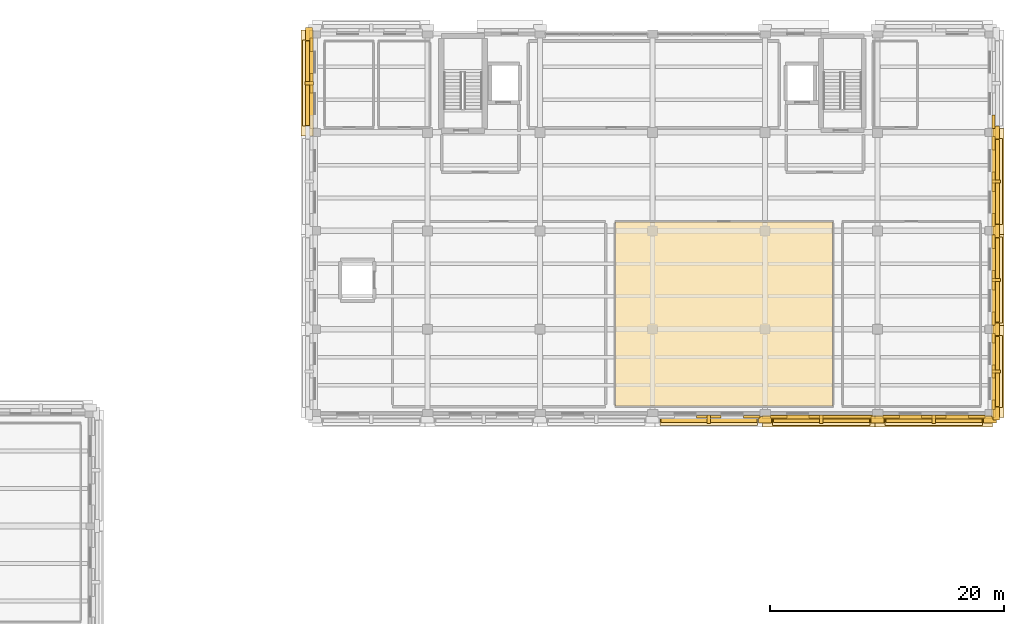
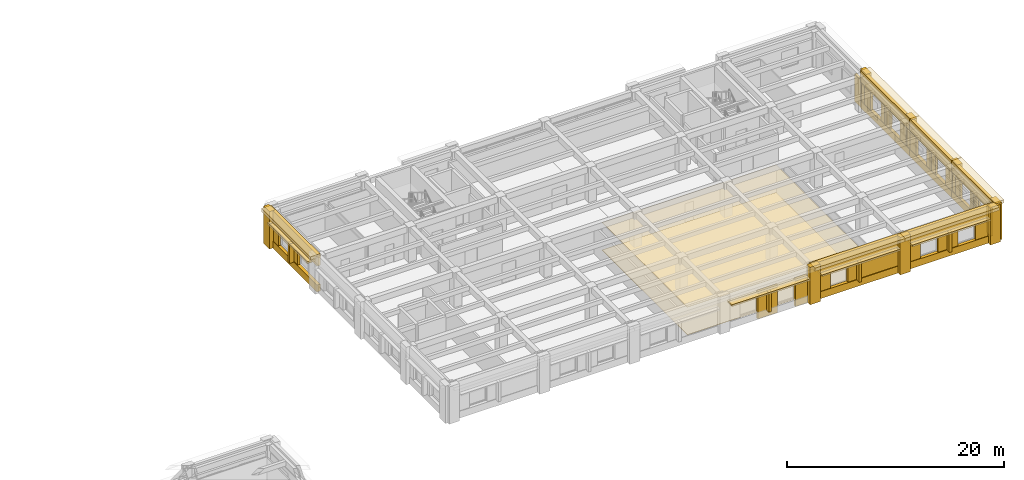
# One storey, part 15 of 17: 61 coverings, 7 shading devices.
"""IFC4 building model written with IfcOpenShell, lengths in metres."""

import ifcopenshell
import ifcopenshell.guid

model = None  # the IFC model being written
_history = None  # IfcOwnerHistory: only IFC2X3 demands one
_inside = {}  # id of a spatial element -> (the spatial element, [elements in it])
_under = {}  # id of a project, library or spatial element -> (it, [spatial elements below it])
_declared = {}  # id of a project -> (the project, [libraries it declares])
_typed = {}  # id of a type object -> (the type object, [elements of that type])
_made_of = {}  # id of a material, layer set ... -> (it, [elements and type objects made of it])


def new_model(schema):
    """Start an empty IFC model of exactly this schema.

    Asked for "IFC4X3", IfcOpenShell would pick the latest addendum, in which some entities
    have other attributes; the version numbers below select the first issue.
    IFC2X3 requires an IfcOwnerHistory on every rooted entity: one is made here for all.
    """
    global model, _history
    if schema == "IFC4X3":
        model = ifcopenshell.file(schema_version=(4, 3, 0, 0))
    else:
        model = ifcopenshell.file(schema=schema)
    _inside.clear()
    _under.clear()
    _declared.clear()
    _typed.clear()
    _made_of.clear()
    _history = None
    if model.schema == "IFC2X3":
        org = make("IfcOrganization", Name="unknown")
        user = make(
            "IfcPersonAndOrganization",
            ThePerson=make("IfcPerson", FamilyName="unknown"),
            TheOrganization=org,
        )
        app = make(
            "IfcApplication",
            ApplicationDeveloper=org,
            Version="unknown",
            ApplicationFullName="unknown",
            ApplicationIdentifier="unknown",
        )
        _history = make(
            "IfcOwnerHistory",
            OwningUser=user,
            OwningApplication=app,
            ChangeAction="ADDED",
            CreationDate=0,
        )
    return model


def make(cls, **values):
    """One entity of the class cls with the attributes given. An attribute that is None is left unset."""
    return model.create_entity(
        cls, **{name: value for name, value in values.items() if value is not None}
    )


def rooted(cls, **values):
    """An entity with a GlobalId (a new one), such as an element, a storey or a relation."""
    return make(cls, GlobalId=ifcopenshell.guid.new(), OwnerHistory=_history, **values)


def si_unit(unit_type, name, prefix=None):
    """IfcSIUnit, for example si_unit("LENGTHUNIT", "METRE", prefix="MILLI")."""
    return make("IfcSIUnit", UnitType=unit_type, Prefix=prefix, Name=name)


def assignment(units):
    """IfcUnitAssignment: the units of a project."""
    return None if units is None else make("IfcUnitAssignment", Units=units)


def point(xyz):
    """IfcCartesianPoint."""
    return None if xyz is None else make("IfcCartesianPoint", Coordinates=xyz)


def direction(xyz):
    """IfcDirection."""
    return None if xyz is None else make("IfcDirection", DirectionRatios=xyz)


def frame(location, z_axis=None, x_axis=None):
    """IfcAxis2Placement3D, a coordinate frame: its origin and axes. An axis left out is left unset."""
    return make(
        "IfcAxis2Placement3D",
        Location=point(location),
        Axis=direction(z_axis),
        RefDirection=direction(x_axis),
    )


def frame_2d(location, x_axis=None):
    """IfcAxis2Placement2D, a coordinate frame in the plane: its origin and x axis."""
    return make(
        "IfcAxis2Placement2D", Location=point(location), RefDirection=direction(x_axis)
    )


def origin():
    """The frame at (0, 0, 0) with its axes left unset."""
    return frame((0.0, 0.0, 0.0))


def origin_2d():
    """The frame at (0, 0) in the plane with its x axis left unset."""
    return frame_2d((0.0, 0.0))


def place(relative_to, where):
    """IfcLocalPlacement: puts the frame where relative to a parent placement (None: the world)."""
    return make(
        "IfcLocalPlacement", PlacementRelTo=relative_to, RelativePlacement=where
    )


def context(
    kind, dimensions, precision=None, world=None, true_north=None, identifier=None
):
    """IfcGeometricRepresentationContext, for example the 3D "Model" context."""
    return make(
        "IfcGeometricRepresentationContext",
        ContextIdentifier=identifier,
        ContextType=kind,
        CoordinateSpaceDimension=dimensions,
        Precision=precision,
        WorldCoordinateSystem=world,
        TrueNorth=true_north,
    )


def subcontext(parent, identifier, kind, view, scale=None):
    """IfcGeometricRepresentationSubContext, for example "Body" below "Model"."""
    return make(
        "IfcGeometricRepresentationSubContext",
        ContextIdentifier=identifier,
        ContextType=kind,
        ParentContext=parent,
        TargetScale=scale,
        TargetView=view,
    )


def project(units=None, contexts=None):
    """IfcProject with its units and contexts."""
    return rooted(
        "IfcProject",
        Name="project",
        RepresentationContexts=contexts,
        UnitsInContext=assignment(units),
    )


def spatial(cls, under=None, at=None, **own):
    """A site, building, storey or space (cls), placed at a placement, below another one or the project."""
    s = rooted(cls, ObjectPlacement=at, **own)
    if under is not None:
        _under.setdefault(under.id(), (under, []))[1].append(s)
    return s


def polyline(points):
    """IfcPolyline through the points."""
    return make("IfcPolyline", Points=[point(p) for p in points])


def profile(cls, at=None, kind="AREA", **sizes):
    """A parametric profile (cls). Its sizes go by their IFC names, for example OverallWidth=200.0."""
    return make(cls, ProfileType=kind, Position=at, **sizes)


def rectangle(**sizes):
    """IfcRectangleProfileDef."""
    return profile("IfcRectangleProfileDef", **sizes)


def outline(outer, holes=None, kind="AREA"):
    """IfcArbitraryClosedProfileDef: a profile drawn as a closed curve; with holes, ...WithVoids."""
    if holes is None:
        return make("IfcArbitraryClosedProfileDef", ProfileType=kind, OuterCurve=outer)
    return make(
        "IfcArbitraryProfileDefWithVoids",
        ProfileType=kind,
        OuterCurve=outer,
        InnerCurves=holes,
    )


def extrude(swept, where, along, depth):
    """IfcExtrudedAreaSolid: the profile swept, set in the frame where, extruded along a direction by depth."""
    return make(
        "IfcExtrudedAreaSolid",
        SweptArea=swept,
        Position=where,
        ExtrudedDirection=direction(along),
        Depth=depth,
    )


def shape(context_of_items, identifier, shape_type, items):
    """IfcShapeRepresentation: the items that make up one representation, for example the "Body"."""
    return make(
        "IfcShapeRepresentation",
        ContextOfItems=context_of_items,
        RepresentationIdentifier=identifier,
        RepresentationType=shape_type,
        Items=items,
    )


def material(Name=None, Category=None):
    """IfcMaterial."""
    return make("IfcMaterial", Name=Name, Category=Category)


def layer(
    of_material, thickness, ventilated=None, Name=None, Category=None, Priority=None
):
    """IfcMaterialLayer: one layer of a wall or slab, of a material (None: an air gap)."""
    return make(
        "IfcMaterialLayer",
        Material=of_material,
        LayerThickness=thickness,
        IsVentilated=ventilated,
        Name=Name,
        Category=Category,
        Priority=Priority,
    )


def layer_set(layers, Name=None):
    """IfcMaterialLayerSet."""
    return make("IfcMaterialLayerSet", MaterialLayers=layers, LayerSetName=Name)


def made_of(thing, what):
    """Note that an element or type object is made of a material, layer set ...; save() writes the relation."""
    if what is not None:
        _made_of.setdefault(what.id(), (what, []))[1].append(thing)
    return thing


def type_object(cls, material=None, **own):
    """A type object (cls), such as IfcWallType, which elements share."""
    return made_of(rooted(cls, **own), material)


def element(
    cls,
    number,
    at=None,
    inside=None,
    cuts=None,
    type_object=None,
    material=None,
    context=None,
    identifier="Body",
    shape_type=None,
    held_by="IfcProductDefinitionShape",
    body=None,
    shapes=None,
    **own,
):
    """One element of the class cls, such as IfcWall. Its Tag is "e" and its number.

    at: its placement. inside: the storey or other place that contains it. cuts: it is an
    opening in that element (IfcRelVoidsElement). A single representation is given by context,
    identifier, shape_type and body (its items); several are given by shapes. held_by: the class
    of the entity that holds the representations. save() writes the other relations.
    """
    e = rooted(cls, Tag="e%d" % number, ObjectPlacement=at, **own)
    if body is not None:
        shapes = [shape(context, identifier, shape_type, body)]
    if shapes is not None:
        e.Representation = make(held_by, Representations=shapes)
    if inside is not None:
        _inside.setdefault(inside.id(), (inside, []))[1].append(e)
    if cuts is not None:
        rooted(
            "IfcRelVoidsElement", RelatingBuildingElement=cuts, RelatedOpeningElement=e
        )
    if type_object is not None:
        _typed.setdefault(type_object.id(), (type_object, []))[1].append(e)
    return made_of(e, material)


def aggregate(whole, parts):
    """IfcRelAggregates: a whole, such as a stair, and the parts it consists of."""
    return rooted("IfcRelAggregates", RelatingObject=whole, RelatedObjects=parts)


def save(model, path):
    """Write the relations noted so far, then the file.

    IfcRelAggregates (storeys below a building ...), IfcRelContainedInSpatialStructure (elements
    in a storey), IfcRelDefinesByType, IfcRelAssociatesMaterial and IfcRelDeclares: one each for
    every whole, place, type object, material and project.
    """
    for whole, parts in _under.values():
        aggregate(whole, parts)
    for where, things in _inside.values():
        rooted(
            "IfcRelContainedInSpatialStructure",
            RelatedElements=things,
            RelatingStructure=where,
        )
    for kind, things in _typed.values():
        rooted("IfcRelDefinesByType", RelatedObjects=things, RelatingType=kind)
    for what, things in _made_of.values():
        rooted("IfcRelAssociatesMaterial", RelatedObjects=things, RelatingMaterial=what)
    for by, libraries in _declared.values():
        rooted("IfcRelDeclares", RelatingContext=by, RelatedDefinitions=libraries)
    model.write(path)


model = new_model("IFC4")

# Units and contexts
model_context = context("Model", 3, precision=1e-05, world=origin(), true_north=direction((0.0, 1.0)))
body_context = subcontext(model_context, "Body", "Model", "MODEL_VIEW")
ifc_project = project(units=[si_unit("LENGTHUNIT", "METRE"), si_unit("AREAUNIT", "SQUARE_METRE"), si_unit("VOLUMEUNIT", "CUBIC_METRE"), si_unit("PLANEANGLEUNIT", "RADIAN"), si_unit("MASSUNIT", "GRAM", prefix="KILO")], contexts=[model_context])

# Site, building, storey
site_placement = place(None, origin())
site = spatial("IfcSite", under=ifc_project, at=site_placement, CompositionType="ELEMENT")
building_placement = place(site_placement, origin())
building = spatial("IfcBuilding", under=site, at=building_placement, Name="Bempovik Park Faculty of Sciences", CompositionType="ELEMENT")
storey_placement = place(building_placement, frame((0.0, 0.0, 22.5)))
storey = spatial("IfcBuildingStorey", under=building, at=storey_placement, Name="L05", CompositionType="ELEMENT", Elevation=22.5)

# Coverings
ifc_material_1 = material(Name="Acoustic mineral ceiling tile")
ifc_layer_1 = layer(ifc_material_1, 0.0400390625)
ifc_layer_set_1 = layer_set([ifc_layer_1], Name="Acoustic mineral ceiling tile")
covering_type_1 = type_object("IfcCoveringType", Name="CE-01 Acoustic Ceiling 40mm", PredefinedType="CEILING", material=ifc_layer_set_1)
covering_1_placement = place(storey_placement, frame((0.0, 0.0, 3.110107421875)))
element("IfcCovering", 1, at=covering_1_placement, inside=storey, type_object=covering_type_1, Name="L05 Physics Academic Staff Offices Acoustic Ceiling", PredefinedType="CEILING", context=body_context, shape_type="SweptSolid", body=[
    extrude(outline(polyline([(85.6298828125, 87.6298828125), (104.169921875, 87.6298828125), (104.169921875, 103.3701171875), (85.6298828125, 103.3701171875), (85.6298828125, 87.6298828125)])), origin(), (0.0, 0.0, 1.0), 0.039794921875),
])
ifc_material_2 = material(Name="Precast concrete C40/50", Category="concrete")
ifc_layer_2 = layer(ifc_material_2, 0.179931640625)
ifc_layer_set_2 = layer_set([ifc_layer_2], Name="Precast concrete C40/50")
covering_type_2 = type_object("IfcCoveringType", Name="CL-02 Classical Cornice Band 180mm", PredefinedType="CLADDING", material=ifc_layer_set_2)
covering_2_placement = place(storey_placement, frame((59.3349609375, 115.199951171875, 3.83984375), z_axis=(0.0, 0.0, 1.0), x_axis=(1.0, 0.0, 0.0)))
element("IfcCovering", 2, at=covering_2_placement, inside=storey, type_object=covering_type_2, Name="L05 Classical Projecting Dentil Cornice EW-L05-10132", PredefinedType="CLADDING", context=body_context, shape_type="SweptSolid", body=[
    extrude(rectangle(XDim=1.050048828125, YDim=9.0458984375, at=origin_2d()), origin(), (0.0, 0.0, 1.0), 0.360107421875),
])
covering_3_placement = place(storey_placement, frame((59.39990234375, 115.199951171875, 2.85986328125), z_axis=(0.0, 0.0, 1.0), x_axis=(1.0, 0.0, 0.0)))
element("IfcCovering", 3, at=covering_3_placement, inside=storey, type_object=covering_type_2, Name="L05 Classical Stone Solar Window Hood EW-L05-10132", PredefinedType="CLADDING", context=body_context, shape_type="SweptSolid", body=[
    extrude(rectangle(XDim=0.919921875, YDim=7.345947265625, at=origin_2d()), origin(), (0.0, 0.0, 1.0), 0.219970703125),
])
covering_4_placement = place(storey_placement, frame((118.264892578125, 90.60009765625, 3.83984375), z_axis=(0.0, 0.0, 1.0), x_axis=(1.0, 0.0, 0.0)))
element("IfcCovering", 4, at=covering_4_placement, inside=storey, type_object=covering_type_2, Name="L05 Classical Projecting Dentil Cornice EW-L05-10221", PredefinedType="CLADDING", context=body_context, shape_type="SweptSolid", body=[
    extrude(rectangle(XDim=1.050048828125, YDim=7.845947265625, at=origin_2d()), origin(), (0.0, 0.0, 1.0), 0.360107421875),
])
covering_5_placement = place(storey_placement, frame((118.199951171875, 90.60009765625, 2.85986328125), z_axis=(0.0, 0.0, 1.0), x_axis=(1.0, 0.0, 0.0)))
element("IfcCovering", 5, at=covering_5_placement, inside=storey, type_object=covering_type_2, Name="L05 Classical Stone Solar Window Hood EW-L05-10221", PredefinedType="CLADDING", context=body_context, shape_type="SweptSolid", body=[
    extrude(rectangle(XDim=0.919921875, YDim=6.14599609375, at=origin_2d()), origin(), (0.0, 0.0, 1.0), 0.219970703125),
])
covering_6_placement = place(storey_placement, frame((118.264892578125, 98.39990234375, 3.83984375), z_axis=(0.0, 0.0, 1.0), x_axis=(1.0, 0.0, 0.0)))
element("IfcCovering", 6, at=covering_6_placement, inside=storey, type_object=covering_type_2, Name="L05 Classical Projecting Dentil Cornice EW-L05-10235", PredefinedType="CLADDING", context=body_context, shape_type="SweptSolid", body=[
    extrude(rectangle(XDim=1.050048828125, YDim=9.0458984375, at=origin_2d()), origin(), (0.0, 0.0, 1.0), 0.360107421875),
])
covering_7_placement = place(storey_placement, frame((118.199951171875, 98.39990234375, 2.85986328125), z_axis=(0.0, 0.0, 1.0), x_axis=(1.0, 0.0, 0.0)))
element("IfcCovering", 7, at=covering_7_placement, inside=storey, type_object=covering_type_2, Name="L05 Classical Stone Solar Window Hood EW-L05-10235", PredefinedType="CLADDING", context=body_context, shape_type="SweptSolid", body=[
    extrude(rectangle(XDim=0.919921875, YDim=7.345947265625, at=origin_2d()), origin(), (0.0, 0.0, 1.0), 0.219970703125),
])
covering_8_placement = place(storey_placement, frame((118.264892578125, 106.800048828125, 3.83984375), z_axis=(0.0, 0.0, 1.0), x_axis=(1.0, 0.0, 0.0)))
element("IfcCovering", 8, at=covering_8_placement, inside=storey, type_object=covering_type_2, Name="L05 Classical Projecting Dentil Cornice EW-L05-10248", PredefinedType="CLADDING", context=body_context, shape_type="SweptSolid", body=[
    extrude(rectangle(XDim=1.050048828125, YDim=9.0458984375, at=origin_2d()), origin(), (0.0, 0.0, 1.0), 0.360107421875),
])
covering_9_placement = place(storey_placement, frame((118.199951171875, 106.800048828125, 2.85986328125), z_axis=(0.0, 0.0, 1.0), x_axis=(1.0, 0.0, 0.0)))
element("IfcCovering", 9, at=covering_9_placement, inside=storey, type_object=covering_type_2, Name="L05 Classical Stone Solar Window Hood EW-L05-10248", PredefinedType="CLADDING", context=body_context, shape_type="SweptSolid", body=[
    extrude(rectangle(XDim=0.919921875, YDim=7.345947265625, at=origin_2d()), origin(), (0.0, 0.0, 1.0), 0.219970703125),
])
covering_10_placement = place(storey_placement, frame((93.60009765625, 86.429931640625, 2.85986328125), z_axis=(0.0, 0.0, 1.0), x_axis=(1.0, 0.0, 0.0)))
element("IfcCovering", 10, at=covering_10_placement, inside=storey, type_object=covering_type_2, Name="L05 Classical Stone Solar Window Hood EW-L05-10310", PredefinedType="CLADDING", context=body_context, shape_type="SweptSolid", body=[
    extrude(rectangle(XDim=8.345947265625, YDim=0.919921875, at=origin_2d()), origin(), (0.0, 0.0, 1.0), 0.219970703125),
])
covering_11_placement = place(storey_placement, frame((103.199951171875, 86.364990234375, 3.83984375), z_axis=(0.0, 0.0, 1.0), x_axis=(1.0, 0.0, 0.0)))
element("IfcCovering", 11, at=covering_11_placement, inside=storey, type_object=covering_type_2, Name="L05 Classical Projecting Dentil Cornice EW-L05-10323", PredefinedType="CLADDING", context=body_context, shape_type="SweptSolid", body=[
    extrude(rectangle(XDim=10.0458984375, YDim=1.050048828125, at=origin_2d()), origin(), (0.0, 0.0, 1.0), 0.360107421875),
])
covering_12_placement = place(storey_placement, frame((103.199951171875, 86.429931640625, 2.85986328125), z_axis=(0.0, 0.0, 1.0), x_axis=(1.0, 0.0, 0.0)))
element("IfcCovering", 12, at=covering_12_placement, inside=storey, type_object=covering_type_2, Name="L05 Classical Stone Solar Window Hood EW-L05-10323", PredefinedType="CLADDING", context=body_context, shape_type="SweptSolid", body=[
    extrude(rectangle(XDim=8.345947265625, YDim=0.919921875, at=origin_2d()), origin(), (0.0, 0.0, 1.0), 0.219970703125),
])
covering_13_placement = place(storey_placement, frame((112.800048828125, 86.364990234375, 3.83984375), z_axis=(0.0, 0.0, 1.0), x_axis=(1.0, 0.0, 0.0)))
element("IfcCovering", 13, at=covering_13_placement, inside=storey, type_object=covering_type_2, Name="L05 Classical Projecting Dentil Cornice EW-L05-10334", PredefinedType="CLADDING", context=body_context, shape_type="SweptSolid", body=[
    extrude(rectangle(XDim=10.0458984375, YDim=1.050048828125, at=origin_2d()), origin(), (0.0, 0.0, 1.0), 0.360107421875),
])
covering_14_placement = place(storey_placement, frame((112.800048828125, 86.429931640625, 2.85986328125), z_axis=(0.0, 0.0, 1.0), x_axis=(1.0, 0.0, 0.0)))
element("IfcCovering", 14, at=covering_14_placement, inside=storey, type_object=covering_type_2, Name="L05 Classical Stone Solar Window Hood EW-L05-10334", PredefinedType="CLADDING", context=body_context, shape_type="SweptSolid", body=[
    extrude(rectangle(XDim=8.345947265625, YDim=0.919921875, at=origin_2d()), origin(), (0.0, 0.0, 1.0), 0.219970703125),
])
ifc_material_3 = material(Name="White reconstituted limestone precast C40/50", Category="masonry")
ifc_layer_3 = layer(ifc_material_3, 0.239990234375)
ifc_layer_set_3 = layer_set([ifc_layer_3], Name="White reconstituted limestone precast C40/50")
covering_type_3 = type_object("IfcCoveringType", Name="CL-03 Classical Fluted Limestone Pilaster 240mm", PredefinedType="CLADDING", material=ifc_layer_set_3)
covering_15_placement = place(storey_placement, frame((59.68994140625, 115.199951171875, 2.919921875), z_axis=(0.0, 0.0, 1.0), x_axis=(1.0, 0.0, 0.0)))
element("IfcCovering", 15, at=covering_15_placement, inside=storey, type_object=covering_type_3, Name="L05 Classical Limestone Spandrel Entablature EW-L05-10132", PredefinedType="CLADDING", context=body_context, shape_type="SweptSolid", body=[
    extrude(rectangle(XDim=0.340087890625, YDim=9.0458984375, at=origin_2d()), origin(), (0.0, 0.0, 1.0), 1.280029296875),
])
covering_16_placement = place(storey_placement, frame((59.68994140625, 115.199951171875, 0.0), z_axis=(0.0, 0.0, 1.0), x_axis=(1.0, 0.0, 0.0)))
element("IfcCovering", 16, at=covering_16_placement, inside=storey, type_object=covering_type_3, Name="L05 Classical Limestone Sill Dado EW-L05-10132", PredefinedType="CLADDING", context=body_context, shape_type="SweptSolid", body=[
    extrude(rectangle(XDim=0.340087890625, YDim=9.0458984375, at=origin_2d()), origin(), (0.0, 0.0, 1.0), 0.780029296875),
])
covering_17_placement = place(storey_placement, frame((59.469970703125, 119.39990234375, 0.0), z_axis=(0.0, 0.0, 1.0), x_axis=(1.0, 0.0, 0.0)))
element("IfcCovering", 17, at=covering_17_placement, inside=storey, type_object=covering_type_3, Name="L05 Classical Fluted Stone Pilaster PIL-BA-L05-595-1194", PredefinedType="CLADDING", context=body_context, shape_type="SweptSolid", body=[
    extrude(rectangle(XDim=0.580078125, YDim=1.10009765625, at=origin_2d()), origin(), (0.0, 0.0, 1.0), 4.199951171875),
])
covering_18_placement = place(storey_placement, frame((59.699951171875, 115.199951171875, 0.0), z_axis=(0.0, 0.0, 1.0), x_axis=(1.0, 0.0, 0.0)))
element("IfcCovering", 18, at=covering_18_placement, inside=storey, type_object=covering_type_3, Name="L05 White Limestone Wall Cheek EW-L05-10132-2", PredefinedType="CLADDING", context=body_context, shape_type="SweptSolid", body=[
    extrude(rectangle(XDim=0.239990234375, YDim=1.66015625, at=origin_2d()), origin(), (0.0, 0.0, 1.0), 3.080078125),
])
covering_19_placement = place(storey_placement, frame((59.699951171875, 118.47900390625, 0.0), z_axis=(0.0, 0.0, 1.0), x_axis=(1.0, 0.0, 0.0)))
element("IfcCovering", 19, at=covering_19_placement, inside=storey, type_object=covering_type_3, Name="L05 White Limestone Wall Cheek EW-L05-10132-4", PredefinedType="CLADDING", context=body_context, shape_type="SweptSolid", body=[
    extrude(rectangle(XDim=0.239990234375, YDim=1.137939453125, at=origin_2d()), origin(), (0.0, 0.0, 1.0), 3.080078125),
])
covering_20_placement = place(storey_placement, frame((59.489990234375, 115.199951171875, 0.7001953125), z_axis=(0.0, 0.0, 1.0), x_axis=(1.0, 0.0, 0.0)))
element("IfcCovering", 20, at=covering_20_placement, inside=storey, type_object=covering_type_3, Name="L05 Classical Vertical Stone Shading Fin EW-L05-10132", PredefinedType="CLADDING", context=body_context, shape_type="SweptSolid", body=[
    extrude(rectangle(XDim=0.719970703125, YDim=0.280029296875, at=origin_2d()), origin(), (0.0, 0.0, 1.0), 2.199951171875),
])
covering_21_placement = place(storey_placement, frame((117.909912109375, 90.60009765625, 2.919921875), z_axis=(0.0, 0.0, 1.0), x_axis=(1.0, 0.0, 0.0)))
element("IfcCovering", 21, at=covering_21_placement, inside=storey, type_object=covering_type_3, Name="L05 Classical Limestone Spandrel Entablature EW-L05-10221", PredefinedType="CLADDING", context=body_context, shape_type="SweptSolid", body=[
    extrude(rectangle(XDim=0.340087890625, YDim=7.845947265625, at=origin_2d()), origin(), (0.0, 0.0, 1.0), 1.280029296875),
])
covering_22_placement = place(storey_placement, frame((117.909912109375, 90.60009765625, 0.0), z_axis=(0.0, 0.0, 1.0), x_axis=(1.0, 0.0, 0.0)))
element("IfcCovering", 22, at=covering_22_placement, inside=storey, type_object=covering_type_3, Name="L05 Classical Limestone Sill Dado EW-L05-10221", PredefinedType="CLADDING", context=body_context, shape_type="SweptSolid", body=[
    extrude(rectangle(XDim=0.340087890625, YDim=7.845947265625, at=origin_2d()), origin(), (0.0, 0.0, 1.0), 0.780029296875),
])
for number, where, z_axis, x_axis, name in (
    (23, (118.1298828125, 87.0, 0.0), (0.0, 0.0, 1.0), (1.0, 0.0, 0.0), "L05 Classical Fluted Stone Pilaster PIL-BA-L05-1181-870"),
    (24, (118.1298828125, 94.199951171875, 0.0), (0.0, 0.0, 1.0), (1.0, 0.0, 0.0), "L05 Classical Fluted Stone Pilaster PIL-BA-L05-1181-942"),
):
    element("IfcCovering", number, at=place(storey_placement, frame(where, z_axis=z_axis, x_axis=x_axis)), inside=storey, type_object=covering_type_3, Name=name, PredefinedType="CLADDING", context=body_context, shape_type="SweptSolid", body=[
        extrude(rectangle(XDim=0.580078125, YDim=1.10009765625, at=origin_2d()), origin(), (0.0, 0.0, 1.0), 4.199951171875),
    ])
covering_23_placement = place(storey_placement, frame((117.89990234375, 87.7587890625, 0.0), z_axis=(0.0, 0.0, 1.0), x_axis=(1.0, 0.0, 0.0)))
element("IfcCovering", 25, at=covering_23_placement, inside=storey, type_object=covering_type_3, Name="L05 White Limestone Wall Cheek EW-L05-10221-0", PredefinedType="CLADDING", context=body_context, shape_type="SweptSolid", body=[
    extrude(rectangle(XDim=0.239990234375, YDim=0.81396484375, at=origin_2d()), origin(), (0.0, 0.0, 1.0), 3.080078125),
])
covering_24_placement = place(storey_placement, frame((117.89990234375, 90.60009765625, 0.0), z_axis=(0.0, 0.0, 1.0), x_axis=(1.0, 0.0, 0.0)))
element("IfcCovering", 26, at=covering_24_placement, inside=storey, type_object=covering_type_3, Name="L05 White Limestone Wall Cheek EW-L05-10221-2", PredefinedType="CLADDING", context=body_context, shape_type="SweptSolid", body=[
    extrude(rectangle(XDim=0.239990234375, YDim=1.108154296875, at=origin_2d()), origin(), (0.0, 0.0, 1.0), 3.080078125),
])
covering_25_placement = place(storey_placement, frame((117.89990234375, 93.441162109375, 0.0), z_axis=(0.0, 0.0, 1.0), x_axis=(1.0, 0.0, 0.0)))
element("IfcCovering", 27, at=covering_25_placement, inside=storey, type_object=covering_type_3, Name="L05 White Limestone Wall Cheek EW-L05-10221-4", PredefinedType="CLADDING", context=body_context, shape_type="SweptSolid", body=[
    extrude(rectangle(XDim=0.239990234375, YDim=0.81396484375, at=origin_2d()), origin(), (0.0, 0.0, 1.0), 3.080078125),
])
covering_26_placement = place(storey_placement, frame((118.110107421875, 90.60009765625, 0.7001953125), z_axis=(0.0, 0.0, 1.0), x_axis=(1.0, 0.0, 0.0)))
element("IfcCovering", 28, at=covering_26_placement, inside=storey, type_object=covering_type_3, Name="L05 Classical Vertical Stone Shading Fin EW-L05-10221", PredefinedType="CLADDING", context=body_context, shape_type="SweptSolid", body=[
    extrude(rectangle(XDim=0.719970703125, YDim=0.280029296875, at=origin_2d()), origin(), (0.0, 0.0, 1.0), 2.199951171875),
])
covering_27_placement = place(storey_placement, frame((117.909912109375, 98.39990234375, 2.919921875), z_axis=(0.0, 0.0, 1.0), x_axis=(1.0, 0.0, 0.0)))
element("IfcCovering", 29, at=covering_27_placement, inside=storey, type_object=covering_type_3, Name="L05 Classical Limestone Spandrel Entablature EW-L05-10235", PredefinedType="CLADDING", context=body_context, shape_type="SweptSolid", body=[
    extrude(rectangle(XDim=0.340087890625, YDim=9.0458984375, at=origin_2d()), origin(), (0.0, 0.0, 1.0), 1.280029296875),
])
covering_28_placement = place(storey_placement, frame((117.909912109375, 98.39990234375, 0.0), z_axis=(0.0, 0.0, 1.0), x_axis=(1.0, 0.0, 0.0)))
element("IfcCovering", 30, at=covering_28_placement, inside=storey, type_object=covering_type_3, Name="L05 Classical Limestone Sill Dado EW-L05-10235", PredefinedType="CLADDING", context=body_context, shape_type="SweptSolid", body=[
    extrude(rectangle(XDim=0.340087890625, YDim=9.0458984375, at=origin_2d()), origin(), (0.0, 0.0, 1.0), 0.780029296875),
])
covering_29_placement = place(storey_placement, frame((118.1298828125, 102.60009765625, 0.0), z_axis=(0.0, 0.0, 1.0), x_axis=(1.0, 0.0, 0.0)))
element("IfcCovering", 31, at=covering_29_placement, inside=storey, type_object=covering_type_3, Name="L05 Classical Fluted Stone Pilaster PIL-BA-L05-1181-1026", PredefinedType="CLADDING", context=body_context, shape_type="SweptSolid", body=[
    extrude(rectangle(XDim=0.580078125, YDim=1.10009765625, at=origin_2d()), origin(), (0.0, 0.0, 1.0), 4.199951171875),
])
covering_30_placement = place(storey_placement, frame((117.89990234375, 95.12109375, 0.0), z_axis=(0.0, 0.0, 1.0), x_axis=(1.0, 0.0, 0.0)))
element("IfcCovering", 32, at=covering_30_placement, inside=storey, type_object=covering_type_3, Name="L05 White Limestone Wall Cheek EW-L05-10235-0", PredefinedType="CLADDING", context=body_context, shape_type="SweptSolid", body=[
    extrude(rectangle(XDim=0.239990234375, YDim=1.137939453125, at=origin_2d()), origin(), (0.0, 0.0, 1.0), 3.080078125),
])
covering_31_placement = place(storey_placement, frame((117.89990234375, 98.39990234375, 0.0), z_axis=(0.0, 0.0, 1.0), x_axis=(1.0, 0.0, 0.0)))
element("IfcCovering", 33, at=covering_31_placement, inside=storey, type_object=covering_type_3, Name="L05 White Limestone Wall Cheek EW-L05-10235-2", PredefinedType="CLADDING", context=body_context, shape_type="SweptSolid", body=[
    extrude(rectangle(XDim=0.239990234375, YDim=1.66015625, at=origin_2d()), origin(), (0.0, 0.0, 1.0), 3.080078125),
])
covering_32_placement = place(storey_placement, frame((117.89990234375, 101.67919921875, 0.0), z_axis=(0.0, 0.0, 1.0), x_axis=(1.0, 0.0, 0.0)))
element("IfcCovering", 34, at=covering_32_placement, inside=storey, type_object=covering_type_3, Name="L05 White Limestone Wall Cheek EW-L05-10235-4", PredefinedType="CLADDING", context=body_context, shape_type="SweptSolid", body=[
    extrude(rectangle(XDim=0.239990234375, YDim=1.137939453125, at=origin_2d()), origin(), (0.0, 0.0, 1.0), 3.080078125),
])
covering_33_placement = place(storey_placement, frame((118.110107421875, 98.39990234375, 0.7001953125), z_axis=(0.0, 0.0, 1.0), x_axis=(1.0, 0.0, 0.0)))
element("IfcCovering", 35, at=covering_33_placement, inside=storey, type_object=covering_type_3, Name="L05 Classical Vertical Stone Shading Fin EW-L05-10235", PredefinedType="CLADDING", context=body_context, shape_type="SweptSolid", body=[
    extrude(rectangle(XDim=0.719970703125, YDim=0.280029296875, at=origin_2d()), origin(), (0.0, 0.0, 1.0), 2.199951171875),
])
covering_34_placement = place(storey_placement, frame((117.909912109375, 106.800048828125, 2.919921875), z_axis=(0.0, 0.0, 1.0), x_axis=(1.0, 0.0, 0.0)))
element("IfcCovering", 36, at=covering_34_placement, inside=storey, type_object=covering_type_3, Name="L05 Classical Limestone Spandrel Entablature EW-L05-10248", PredefinedType="CLADDING", context=body_context, shape_type="SweptSolid", body=[
    extrude(rectangle(XDim=0.340087890625, YDim=9.0458984375, at=origin_2d()), origin(), (0.0, 0.0, 1.0), 1.280029296875),
])
covering_35_placement = place(storey_placement, frame((117.909912109375, 106.800048828125, 0.0), z_axis=(0.0, 0.0, 1.0), x_axis=(1.0, 0.0, 0.0)))
element("IfcCovering", 37, at=covering_35_placement, inside=storey, type_object=covering_type_3, Name="L05 Classical Limestone Sill Dado EW-L05-10248", PredefinedType="CLADDING", context=body_context, shape_type="SweptSolid", body=[
    extrude(rectangle(XDim=0.340087890625, YDim=9.0458984375, at=origin_2d()), origin(), (0.0, 0.0, 1.0), 0.780029296875),
])
covering_36_placement = place(storey_placement, frame((118.1298828125, 111.0, 0.0), z_axis=(0.0, 0.0, 1.0), x_axis=(1.0, 0.0, 0.0)))
element("IfcCovering", 38, at=covering_36_placement, inside=storey, type_object=covering_type_3, Name="L05 Classical Fluted Stone Pilaster PIL-BA-L05-1181-1110", PredefinedType="CLADDING", context=body_context, shape_type="SweptSolid", body=[
    extrude(rectangle(XDim=0.580078125, YDim=1.10009765625, at=origin_2d()), origin(), (0.0, 0.0, 1.0), 4.199951171875),
])
covering_37_placement = place(storey_placement, frame((117.89990234375, 103.52099609375, 0.0), z_axis=(0.0, 0.0, 1.0), x_axis=(1.0, 0.0, 0.0)))
element("IfcCovering", 39, at=covering_37_placement, inside=storey, type_object=covering_type_3, Name="L05 White Limestone Wall Cheek EW-L05-10248-0", PredefinedType="CLADDING", context=body_context, shape_type="SweptSolid", body=[
    extrude(rectangle(XDim=0.239990234375, YDim=1.137939453125, at=origin_2d()), origin(), (0.0, 0.0, 1.0), 3.080078125),
])
covering_38_placement = place(storey_placement, frame((117.89990234375, 106.800048828125, 0.0), z_axis=(0.0, 0.0, 1.0), x_axis=(1.0, 0.0, 0.0)))
element("IfcCovering", 40, at=covering_38_placement, inside=storey, type_object=covering_type_3, Name="L05 White Limestone Wall Cheek EW-L05-10248-2", PredefinedType="CLADDING", context=body_context, shape_type="SweptSolid", body=[
    extrude(rectangle(XDim=0.239990234375, YDim=1.66015625, at=origin_2d()), origin(), (0.0, 0.0, 1.0), 3.080078125),
])
covering_39_placement = place(storey_placement, frame((117.89990234375, 110.0791015625, 0.0), z_axis=(0.0, 0.0, 1.0), x_axis=(1.0, 0.0, 0.0)))
element("IfcCovering", 41, at=covering_39_placement, inside=storey, type_object=covering_type_3, Name="L05 White Limestone Wall Cheek EW-L05-10248-4", PredefinedType="CLADDING", context=body_context, shape_type="SweptSolid", body=[
    extrude(rectangle(XDim=0.239990234375, YDim=1.137939453125, at=origin_2d()), origin(), (0.0, 0.0, 1.0), 3.080078125),
])
covering_40_placement = place(storey_placement, frame((118.110107421875, 106.800048828125, 0.7001953125), z_axis=(0.0, 0.0, 1.0), x_axis=(1.0, 0.0, 0.0)))
element("IfcCovering", 42, at=covering_40_placement, inside=storey, type_object=covering_type_3, Name="L05 Classical Vertical Stone Shading Fin EW-L05-10248", PredefinedType="CLADDING", context=body_context, shape_type="SweptSolid", body=[
    extrude(rectangle(XDim=0.719970703125, YDim=0.280029296875, at=origin_2d()), origin(), (0.0, 0.0, 1.0), 2.199951171875),
])
covering_41_placement = place(storey_placement, frame((117.89990234375, 111.9208984375, 0.0), z_axis=(0.0, 0.0, 1.0), x_axis=(1.0, 0.0, 0.0)))
element("IfcCovering", 43, at=covering_41_placement, inside=storey, type_object=covering_type_3, Name="L05 White Limestone Wall Cheek EW-L05-10261-0", PredefinedType="CLADDING", context=body_context, shape_type="SweptSolid", body=[
    extrude(rectangle(XDim=0.239990234375, YDim=1.137939453125, at=origin_2d()), origin(), (0.0, 0.0, 1.0), 3.080078125),
])
covering_42_placement = place(storey_placement, frame((98.39990234375, 86.469970703125, 0.0), z_axis=(0.0, 0.0, 1.0), x_axis=(1.0, 0.0, 0.0)))
element("IfcCovering", 44, at=covering_42_placement, inside=storey, type_object=covering_type_3, Name="L05 Classical Fluted Stone Pilaster PIL-BA-L05-984-865", PredefinedType="CLADDING", context=body_context, shape_type="SweptSolid", body=[
    extrude(rectangle(XDim=1.10009765625, YDim=0.580078125, at=origin_2d()), origin(), (0.0, 0.0, 1.0), 4.199951171875),
])
covering_43_placement = place(storey_placement, frame((93.60009765625, 86.72998046875, 0.0), z_axis=(0.0, 0.0, 1.0), x_axis=(1.0, 0.0, 0.0)))
element("IfcCovering", 45, at=covering_43_placement, inside=storey, type_object=covering_type_3, Name="L05 White Limestone Wall Cheek EW-L05-10310-2", PredefinedType="CLADDING", context=body_context, shape_type="SweptSolid", body=[
    extrude(rectangle(XDim=2.1201171875, YDim=0.239990234375, at=origin_2d()), origin(), (0.0, 0.0, 1.0), 3.080078125),
])
covering_44_placement = place(storey_placement, frame((97.244140625, 86.72998046875, 0.0), z_axis=(0.0, 0.0, 1.0), x_axis=(1.0, 0.0, 0.0)))
element("IfcCovering", 46, at=covering_44_placement, inside=storey, type_object=covering_type_3, Name="L05 White Limestone Wall Cheek EW-L05-10310-4", PredefinedType="CLADDING", context=body_context, shape_type="SweptSolid", body=[
    extrude(rectangle(XDim=1.407958984375, YDim=0.239990234375, at=origin_2d()), origin(), (0.0, 0.0, 1.0), 3.080078125),
])
covering_45_placement = place(storey_placement, frame((93.60009765625, 86.52001953125, 0.7001953125), z_axis=(0.0, 0.0, 1.0), x_axis=(1.0, 0.0, 0.0)))
element("IfcCovering", 47, at=covering_45_placement, inside=storey, type_object=covering_type_3, Name="L05 Classical Vertical Stone Shading Fin EW-L05-10310", PredefinedType="CLADDING", context=body_context, shape_type="SweptSolid", body=[
    extrude(rectangle(XDim=0.280029296875, YDim=0.719970703125, at=origin_2d()), origin(), (0.0, 0.0, 1.0), 2.199951171875),
])
covering_46_placement = place(storey_placement, frame((103.199951171875, 86.719970703125, 2.919921875), z_axis=(0.0, 0.0, 1.0), x_axis=(1.0, 0.0, 0.0)))
element("IfcCovering", 48, at=covering_46_placement, inside=storey, type_object=covering_type_3, Name="L05 Classical Limestone Spandrel Entablature EW-L05-10323", PredefinedType="CLADDING", context=body_context, shape_type="SweptSolid", body=[
    extrude(rectangle(XDim=10.0458984375, YDim=0.340087890625, at=origin_2d()), origin(), (0.0, 0.0, 1.0), 1.280029296875),
])
covering_47_placement = place(storey_placement, frame((103.199951171875, 86.719970703125, 0.0), z_axis=(0.0, 0.0, 1.0), x_axis=(1.0, 0.0, 0.0)))
element("IfcCovering", 49, at=covering_47_placement, inside=storey, type_object=covering_type_3, Name="L05 Classical Limestone Sill Dado EW-L05-10323", PredefinedType="CLADDING", context=body_context, shape_type="SweptSolid", body=[
    extrude(rectangle(XDim=10.0458984375, YDim=0.340087890625, at=origin_2d()), origin(), (0.0, 0.0, 1.0), 0.780029296875),
])
covering_48_placement = place(storey_placement, frame((108.0, 86.469970703125, 0.0), z_axis=(0.0, 0.0, 1.0), x_axis=(1.0, 0.0, 0.0)))
element("IfcCovering", 50, at=covering_48_placement, inside=storey, type_object=covering_type_3, Name="L05 Classical Fluted Stone Pilaster PIL-BA-L05-1080-865", PredefinedType="CLADDING", context=body_context, shape_type="SweptSolid", body=[
    extrude(rectangle(XDim=1.10009765625, YDim=0.580078125, at=origin_2d()), origin(), (0.0, 0.0, 1.0), 4.199951171875),
])
covering_49_placement = place(storey_placement, frame((99.555908203125, 86.72998046875, 0.0), z_axis=(0.0, 0.0, 1.0), x_axis=(1.0, 0.0, 0.0)))
element("IfcCovering", 51, at=covering_49_placement, inside=storey, type_object=covering_type_3, Name="L05 White Limestone Wall Cheek EW-L05-10323-0", PredefinedType="CLADDING", context=body_context, shape_type="SweptSolid", body=[
    extrude(rectangle(XDim=1.407958984375, YDim=0.239990234375, at=origin_2d()), origin(), (0.0, 0.0, 1.0), 3.080078125),
])
covering_50_placement = place(storey_placement, frame((104.843994140625, 86.72998046875, 0.0), z_axis=(0.0, 0.0, 1.0), x_axis=(1.0, 0.0, 0.0)))
element("IfcCovering", 52, at=covering_50_placement, inside=storey, type_object=covering_type_3, Name="L05 White Limestone Wall Cheek EW-L05-10323-2", PredefinedType="CLADDING", context=body_context, shape_type="SweptSolid", body=[
    extrude(rectangle(XDim=5.408203125, YDim=0.239990234375, at=origin_2d()), origin(), (0.0, 0.0, 1.0), 3.080078125),
])
covering_51_placement = place(storey_placement, frame((103.199951171875, 86.52001953125, 0.7001953125), z_axis=(0.0, 0.0, 1.0), x_axis=(1.0, 0.0, 0.0)))
element("IfcCovering", 53, at=covering_51_placement, inside=storey, type_object=covering_type_3, Name="L05 Classical Vertical Stone Shading Fin EW-L05-10323", PredefinedType="CLADDING", context=body_context, shape_type="SweptSolid", body=[
    extrude(rectangle(XDim=0.280029296875, YDim=0.719970703125, at=origin_2d()), origin(), (0.0, 0.0, 1.0), 2.199951171875),
])
covering_52_placement = place(storey_placement, frame((112.800048828125, 86.719970703125, 2.919921875), z_axis=(0.0, 0.0, 1.0), x_axis=(1.0, 0.0, 0.0)))
element("IfcCovering", 54, at=covering_52_placement, inside=storey, type_object=covering_type_3, Name="L05 Classical Limestone Spandrel Entablature EW-L05-10334", PredefinedType="CLADDING", context=body_context, shape_type="SweptSolid", body=[
    extrude(rectangle(XDim=10.0458984375, YDim=0.340087890625, at=origin_2d()), origin(), (0.0, 0.0, 1.0), 1.280029296875),
])
covering_53_placement = place(storey_placement, frame((112.800048828125, 86.719970703125, 0.0), z_axis=(0.0, 0.0, 1.0), x_axis=(1.0, 0.0, 0.0)))
element("IfcCovering", 55, at=covering_53_placement, inside=storey, type_object=covering_type_3, Name="L05 Classical Limestone Sill Dado EW-L05-10334", PredefinedType="CLADDING", context=body_context, shape_type="SweptSolid", body=[
    extrude(rectangle(XDim=10.0458984375, YDim=0.340087890625, at=origin_2d()), origin(), (0.0, 0.0, 1.0), 0.780029296875),
])
covering_54_placement = place(storey_placement, frame((117.60009765625, 86.469970703125, 0.0), z_axis=(0.0, 0.0, 1.0), x_axis=(1.0, 0.0, 0.0)))
element("IfcCovering", 56, at=covering_54_placement, inside=storey, type_object=covering_type_3, Name="L05 Classical Fluted Stone Pilaster PIL-BA-L05-1176-865", PredefinedType="CLADDING", context=body_context, shape_type="SweptSolid", body=[
    extrude(rectangle(XDim=1.10009765625, YDim=0.580078125, at=origin_2d()), origin(), (0.0, 0.0, 1.0), 4.199951171875),
])
covering_55_placement = place(storey_placement, frame((109.156005859375, 86.72998046875, 0.0), z_axis=(0.0, 0.0, 1.0), x_axis=(1.0, 0.0, 0.0)))
element("IfcCovering", 57, at=covering_55_placement, inside=storey, type_object=covering_type_3, Name="L05 White Limestone Wall Cheek EW-L05-10334-0", PredefinedType="CLADDING", context=body_context, shape_type="SweptSolid", body=[
    extrude(rectangle(XDim=1.407958984375, YDim=0.239990234375, at=origin_2d()), origin(), (0.0, 0.0, 1.0), 3.080078125),
])
covering_56_placement = place(storey_placement, frame((112.800048828125, 86.72998046875, 0.0), z_axis=(0.0, 0.0, 1.0), x_axis=(1.0, 0.0, 0.0)))
element("IfcCovering", 58, at=covering_56_placement, inside=storey, type_object=covering_type_3, Name="L05 White Limestone Wall Cheek EW-L05-10334-2", PredefinedType="CLADDING", context=body_context, shape_type="SweptSolid", body=[
    extrude(rectangle(XDim=2.1201171875, YDim=0.239990234375, at=origin_2d()), origin(), (0.0, 0.0, 1.0), 3.080078125),
])
covering_57_placement = place(storey_placement, frame((116.444091796875, 86.72998046875, 0.0), z_axis=(0.0, 0.0, 1.0), x_axis=(1.0, 0.0, 0.0)))
element("IfcCovering", 59, at=covering_57_placement, inside=storey, type_object=covering_type_3, Name="L05 White Limestone Wall Cheek EW-L05-10334-4", PredefinedType="CLADDING", context=body_context, shape_type="SweptSolid", body=[
    extrude(rectangle(XDim=1.407958984375, YDim=0.239990234375, at=origin_2d()), origin(), (0.0, 0.0, 1.0), 3.080078125),
])
covering_58_placement = place(storey_placement, frame((112.800048828125, 86.52001953125, 0.7001953125), z_axis=(0.0, 0.0, 1.0), x_axis=(1.0, 0.0, 0.0)))
element("IfcCovering", 60, at=covering_58_placement, inside=storey, type_object=covering_type_3, Name="L05 Classical Vertical Stone Shading Fin EW-L05-10334", PredefinedType="CLADDING", context=body_context, shape_type="SweptSolid", body=[
    extrude(rectangle(XDim=0.280029296875, YDim=0.719970703125, at=origin_2d()), origin(), (0.0, 0.0, 1.0), 2.199951171875),
])
ifc_material_4 = material(Name="Polished mineral terrazzo flooring")
ifc_layer_4 = layer(ifc_material_4, 0.030029296875)
ifc_layer_set_4 = layer_set([ifc_layer_4], Name="Polished mineral terrazzo flooring")
covering_type_4 = type_object("IfcCoveringType", Name="FL-01 Terrazzo Flooring 30mm", PredefinedType="FLOORING", material=ifc_layer_set_4)
covering_59_placement = place(storey_placement, origin())
element("IfcCovering", 61, at=covering_59_placement, inside=storey, type_object=covering_type_4, Name="L05 Physics Academic Staff Offices Terrazzo Flooring", PredefinedType="FLOORING", context=body_context, shape_type="SweptSolid", body=[
    extrude(outline(polyline([(85.6298828125, 87.6298828125), (104.169921875, 87.6298828125), (104.169921875, 103.3701171875), (85.6298828125, 103.3701171875), (85.6298828125, 87.6298828125)])), origin(), (0.0, 0.0, 1.0), 0.030029296875),
])

# Shading devices
ifc_material_5 = material(Name="Anodised architectural bronze")
ifc_layer_5 = layer(ifc_material_5, 0.06005859375)
ifc_layer_set_5 = layer_set([ifc_layer_5], Name="Anodised architectural bronze")
shading_device_type = type_object("IfcShadingDeviceType", Name="SH-01 Bronze Brise-Soleil Fin", PredefinedType="USERDEFINED", material=ifc_layer_set_5)
shading_device_1_placement = place(storey_placement, frame((59.52001953125, 115.199951171875, 2.800048828125), z_axis=(0.0, 0.0, 1.0), x_axis=(1.0, 0.0, 0.0)))
element("IfcShadingDevice", 62, at=shading_device_1_placement, inside=storey, type_object=shading_device_type, Name="L05 Equatorial Bronze Brise-Soleil EW-L05-10132", ObjectType="BRISE SOLEIL", PredefinedType="USERDEFINED", context=body_context, shape_type="SweptSolid", body=[
    extrude(rectangle(XDim=0.64990234375, YDim=7.196044921875, at=origin_2d()), origin(), (0.0, 0.0, 1.0), 0.06005859375),
])
shading_device_2_placement = place(storey_placement, frame((118.080078125, 90.60009765625, 2.800048828125), z_axis=(0.0, 0.0, 1.0), x_axis=(1.0, 0.0, 0.0)))
element("IfcShadingDevice", 63, at=shading_device_2_placement, inside=storey, type_object=shading_device_type, Name="L05 Equatorial Bronze Brise-Soleil EW-L05-10221", ObjectType="BRISE SOLEIL", PredefinedType="USERDEFINED", context=body_context, shape_type="SweptSolid", body=[
    extrude(rectangle(XDim=0.64990234375, YDim=5.99609375, at=origin_2d()), origin(), (0.0, 0.0, 1.0), 0.06005859375),
])
for number, where, z_axis, x_axis, name in (
    (64, (118.080078125, 98.39990234375, 2.800048828125), (0.0, 0.0, 1.0), (1.0, 0.0, 0.0), "L05 Equatorial Bronze Brise-Soleil EW-L05-10235"),
    (65, (118.080078125, 106.800048828125, 2.800048828125), (0.0, 0.0, 1.0), (1.0, 0.0, 0.0), "L05 Equatorial Bronze Brise-Soleil EW-L05-10248"),
):
    element("IfcShadingDevice", number, at=place(storey_placement, frame(where, z_axis=z_axis, x_axis=x_axis)), inside=storey, type_object=shading_device_type, Name=name, ObjectType="BRISE SOLEIL", PredefinedType="USERDEFINED", context=body_context, shape_type="SweptSolid", body=[
        extrude(rectangle(XDim=0.64990234375, YDim=7.196044921875, at=origin_2d()), origin(), (0.0, 0.0, 1.0), 0.06005859375),
    ])
for number, where, z_axis, x_axis, name in (
    (66, (93.60009765625, 86.550048828125, 2.800048828125), (0.0, 0.0, 1.0), (1.0, 0.0, 0.0), "L05 Equatorial Bronze Brise-Soleil EW-L05-10310"),
    (67, (103.199951171875, 86.550048828125, 2.800048828125), (0.0, 0.0, 1.0), (1.0, 0.0, 0.0), "L05 Equatorial Bronze Brise-Soleil EW-L05-10323"),
    (68, (112.800048828125, 86.550048828125, 2.800048828125), (0.0, 0.0, 1.0), (1.0, 0.0, 0.0), "L05 Equatorial Bronze Brise-Soleil EW-L05-10334"),
):
    element("IfcShadingDevice", number, at=place(storey_placement, frame(where, z_axis=z_axis, x_axis=x_axis)), inside=storey, type_object=shading_device_type, Name=name, ObjectType="BRISE SOLEIL", PredefinedType="USERDEFINED", context=body_context, shape_type="SweptSolid", body=[
        extrude(rectangle(XDim=8.196044921875, YDim=0.64990234375, at=origin_2d()), origin(), (0.0, 0.0, 1.0), 0.06005859375),
    ])

save(model, "model.ifc")
